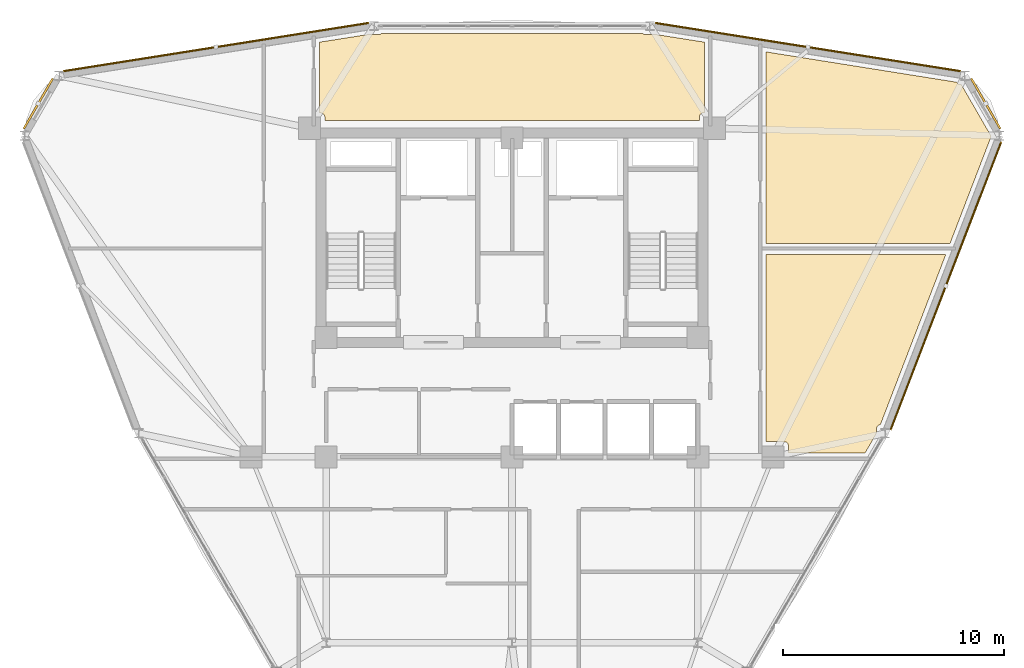
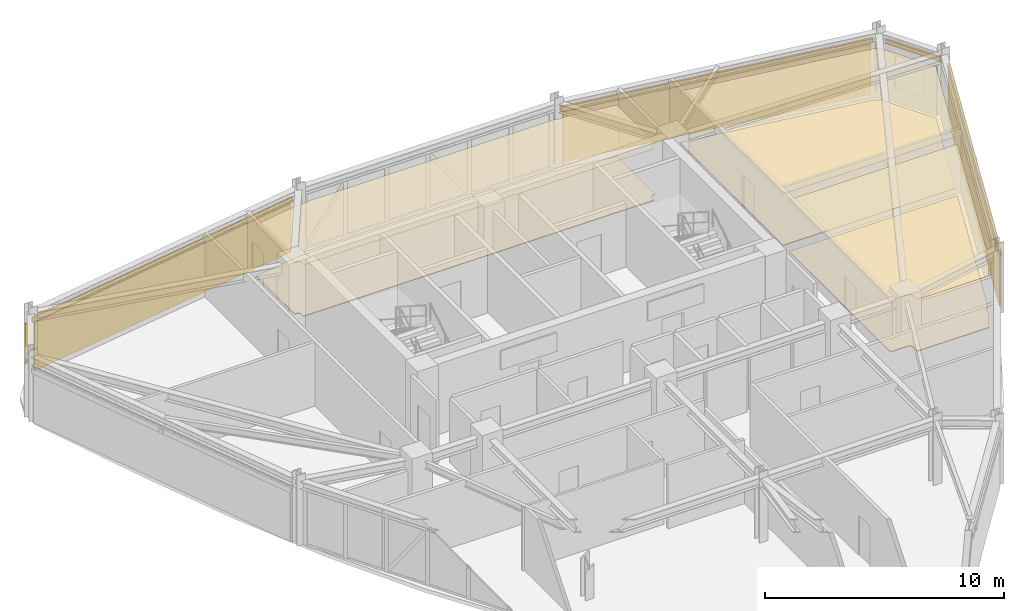
# One storey, part 14 of 14: 9 coverings, 5 shading devices.
"""IFC4 building model written with IfcOpenShell, lengths in metres."""

from ifc_helpers import new_model, si_unit, derived_unit, direction, frame, origin, origin_2d, place, context, subcontext, project, spatial, polyline, hollow_rectangle, outline, extrude, source, transform, mapped, material, layer, layer_set, material_profile, profile_set, type_object, element, save


model = new_model("IFC4")

# Units and contexts
model_context = context("Model", 3, precision=1e-05, world=origin(), true_north=direction((0.0, 1.0)))
body_context = subcontext(model_context, "Body", "Model", "MODEL_VIEW")
ifc_project = project(units=[si_unit("LENGTHUNIT", "METRE"), si_unit("AREAUNIT", "SQUARE_METRE"), si_unit("VOLUMEUNIT", "CUBIC_METRE"), si_unit("PLANEANGLEUNIT", "RADIAN"), si_unit("MASSUNIT", "GRAM", prefix="KILO"), derived_unit("THERMALTRANSMITTANCEUNIT", [(si_unit("POWERUNIT", "WATT"), 1), (si_unit("LENGTHUNIT", "METRE"), -2), (si_unit("THERMODYNAMICTEMPERATUREUNIT", "KELVIN"), -1)])], contexts=[model_context])

# Site, building, storey
site_placement = place(None, origin())
site = spatial("IfcSite", under=ifc_project, at=site_placement, CompositionType="ELEMENT")
building_placement = place(site_placement, origin())
building = spatial("IfcBuilding", under=site, at=building_placement, Name="Korsvarv Bourse and Concert Hall", CompositionType="ELEMENT")
storey_placement = place(building_placement, frame((0.0, 0.0, 197.39990234375)))
storey = spatial("IfcBuildingStorey", under=building, at=storey_placement, Name="L51", CompositionType="ELEMENT", Elevation=197.39990234375)

# Coverings
ifc_material_1 = material(Name="Perforated mineral-wool and birch acoustic baffle ceiling", Category="wood")
ifc_layer_1 = layer(ifc_material_1, 0.02490234375)
ifc_layer_set_1 = layer_set([ifc_layer_1], Name="Perforated mineral-wool and birch acoustic baffle ceiling")
covering_type_1 = type_object("IfcCoveringType", Name="COV-CEIL-1", PredefinedType="CEILING", material=ifc_layer_set_1)
covering_1_placement = place(storey_placement, frame((0.0, 0.0, 2.64013671875)))
element("IfcCovering", 1, at=covering_1_placement, inside=storey, type_object=covering_type_1, Name="L51 acoustic baffle ceiling 1", PredefinedType="CEILING", context=body_context, shape_type="SweptSolid", body=[
    extrude(outline(polyline([(56.0947265625, 49.327880859375), (56.115234375, 49.298095703125), (56.14111328125, 49.273193359375), (56.171630859375, 49.253662109375), (56.205322265625, 49.24072265625), (56.24072265625, 49.23486328125), (56.298828125, 49.231201171875), (57.63720703125, 46.9130859375), (57.63720703125, 46.837646484375), (55.797607421875, 42.050048828125), (47.47998046875, 42.050048828125), (47.47998046875, 50.6982421875), (56.0947265625, 49.327880859375)])), origin(), (0.0, 0.0, 1.0), 0.02490234375),
])
covering_2_placement = place(storey_placement, frame((0.0, 0.0, 2.64013671875)))
element("IfcCovering", 2, at=covering_2_placement, inside=storey, type_object=covering_type_1, Name="L51 acoustic baffle ceiling 2", PredefinedType="CEILING", context=body_context, shape_type="SweptSolid", body=[
    extrude(outline(polyline([(29.509033203125, 51.48681640625), (29.5341796875, 51.48193359375), (29.966796875, 51.473876953125), (30.003173828125, 51.476806640625), (30.0380859375, 51.4873046875), (30.070068359375, 51.50439453125), (30.09814453125, 51.527587890625), (41.89794921875, 51.53173828125), (41.91796875, 51.515625), (41.9482421875, 51.498779296875), (41.981201171875, 51.488037109375), (42.015869140625, 51.48388671875), (42.431884765625, 51.473876953125), (42.466796875, 51.476318359375), (42.499755859375, 51.485595703125), (44.7099609375, 51.135986328125), (44.7099609375, 47.93994140625), (44.64990234375, 47.93994140625), (44.615478515625, 47.936767578125), (44.582275390625, 47.9267578125), (44.5517578125, 47.910888671875), (44.524658203125, 47.88916015625), (44.502197265625, 47.86279296875), (44.4853515625, 47.83251953125), (44.474365234375, 47.799560546875), (44.47021484375, 47.765380859375), (44.465087890625, 47.60009765625), (27.5400390625, 47.60009765625), (27.5400390625, 47.75), (27.53662109375, 47.7841796875), (27.527099609375, 47.817138671875), (27.510986328125, 47.84765625), (27.48974609375, 47.874755859375), (27.463623046875, 47.897216796875), (27.433837890625, 47.914306640625), (27.4013671875, 47.92529296875), (27.3671875, 47.929931640625), (27.2900390625, 47.932861328125), (27.2900390625, 51.135986328125), (29.509033203125, 51.48681640625)])), origin(), (0.0, 0.0, 1.0), 0.02490234375),
])
covering_3_placement = place(storey_placement, frame((0.0, 0.0, 2.64013671875)))
element("IfcCovering", 3, at=covering_3_placement, inside=storey, type_object=covering_type_1, Name="L51 acoustic baffle ceiling 3", PredefinedType="CEILING", context=body_context, shape_type="SweptSolid", body=[
    extrude(outline(polyline([(48.489990234375, 32.570068359375), (48.489990234375, 32.89990234375), (48.486572265625, 32.934814453125), (48.4765625, 32.968505859375), (48.4599609375, 32.99951171875), (48.43798828125, 33.026611328125), (48.410888671875, 33.049072265625), (48.380126953125, 33.06591796875), (48.3466796875, 33.076171875), (48.311767578125, 33.080078125), (47.47998046875, 33.088134765625), (47.47998046875, 41.550048828125), (55.60546875, 41.550048828125), (52.650390625, 33.85986328125), (52.62451171875, 33.85693359375), (52.591552734375, 33.84716796875), (52.56103515625, 33.831298828125), (52.533935546875, 33.809814453125), (52.51171875, 33.78369140625), (52.49462890625, 33.753662109375), (52.483642578125, 33.72119140625), (52.47900390625, 33.68701171875), (52.470703125, 33.464599609375), (51.95361328125, 32.5693359375), (48.489990234375, 32.570068359375)])), origin(), (0.0, 0.0, 1.0), 0.02490234375),
])
ifc_material_2 = material(Name="Warm iron-oxide extruded terracotta rainscreen tile", Category="ceramic")
ifc_layer_2 = layer(ifc_material_2, 0.044921875)
ifc_layer_set_2 = layer_set([ifc_layer_2], Name="Warm iron-oxide extruded terracotta rainscreen tile")
covering_type_2 = type_object("IfcCoveringType", Name="COV-CLD-TC", PredefinedType="CLADDING", material=ifc_layer_set_2)
covering_4_placement = place(storey_placement, origin())
element("IfcCovering", 4, at=covering_4_placement, inside=storey, type_object=covering_type_2, Name="L51 fluted terracotta cladding panel EW-L51-B02", PredefinedType="CLADDING", context=body_context, shape_type="SweptSolid", body=[
    extrude(outline(polyline([(56.19970703125, 49.80126953125), (42.541259765625, 51.959716796875), (42.548095703125, 52.004150390625), (56.20654296875, 49.845703125), (56.19970703125, 49.80126953125)])), origin(), (0.0, 0.0, 1.0), 2.550048828125),
])
covering_5_placement = place(storey_placement, origin())
element("IfcCovering", 5, at=covering_5_placement, inside=storey, type_object=covering_type_2, Name="L51 fluted terracotta cladding panel EW-L51-B04", PredefinedType="CLADDING", context=body_context, shape_type="SweptSolid", body=[
    extrude(outline(polyline([(29.458740234375, 51.959716796875), (15.80029296875, 49.80126953125), (15.79345703125, 49.845703125), (29.451904296875, 52.004150390625), (29.458740234375, 51.959716796875)])), origin(), (0.0, 0.0, 1.0), 2.489990234375),
])
covering_6_placement = place(storey_placement, origin())
element("IfcCovering", 6, at=covering_6_placement, inside=storey, type_object=covering_type_2, Name="L51 fluted terracotta cladding panel EW-L51-B12", PredefinedType="CLADDING", context=body_context, shape_type="SweptSolid", body=[
    extrude(outline(polyline([(53.098388671875, 33.701416015625), (58.045654296875, 46.576416015625), (58.087646484375, 46.560302734375), (53.140380859375, 33.685302734375), (53.098388671875, 33.701416015625)])), origin(), (0.0, 0.0, 1.0), 2.550048828125),
])
ifc_material_3 = material(Name="Calcium-sulphate raised access trading floor with Nordic oak top", Category="wood")
ifc_layer_3 = layer(ifc_material_3, 0.0400390625)
ifc_layer_set_3 = layer_set([ifc_layer_3], Name="Calcium-sulphate raised access trading floor with Nordic oak top")
covering_type_3 = type_object("IfcCoveringType", Name="COV-FLOR-1", PredefinedType="FLOORING", material=ifc_layer_set_3)
covering_7_placement = place(storey_placement, origin())
element("IfcCovering", 7, at=covering_7_placement, inside=storey, type_object=covering_type_3, Name="L51 raised access oak floor finish 1", PredefinedType="FLOORING", context=body_context, shape_type="SweptSolid", body=[
    extrude(outline(polyline([(56.0947265625, 49.327880859375), (56.115234375, 49.298095703125), (56.14111328125, 49.273193359375), (56.171630859375, 49.253662109375), (56.205322265625, 49.24072265625), (56.24072265625, 49.23486328125), (56.298828125, 49.231201171875), (57.63720703125, 46.9130859375), (57.63720703125, 46.837646484375), (55.797607421875, 42.050048828125), (47.47998046875, 42.050048828125), (47.47998046875, 50.6982421875), (56.0947265625, 49.327880859375)])), origin(), (0.0, 0.0, 1.0), 0.0400390625),
])
covering_8_placement = place(storey_placement, origin())
element("IfcCovering", 8, at=covering_8_placement, inside=storey, type_object=covering_type_3, Name="L51 raised access oak floor finish 2", PredefinedType="FLOORING", context=body_context, shape_type="SweptSolid", body=[
    extrude(outline(polyline([(29.509033203125, 51.48681640625), (29.5341796875, 51.48193359375), (29.966796875, 51.473876953125), (30.003173828125, 51.476806640625), (30.0380859375, 51.4873046875), (30.070068359375, 51.50439453125), (30.09814453125, 51.527587890625), (41.89794921875, 51.53173828125), (41.91796875, 51.515625), (41.9482421875, 51.498779296875), (41.981201171875, 51.488037109375), (42.015869140625, 51.48388671875), (42.431884765625, 51.473876953125), (42.466796875, 51.476318359375), (42.499755859375, 51.485595703125), (44.7099609375, 51.135986328125), (44.7099609375, 47.93994140625), (44.64990234375, 47.93994140625), (44.615478515625, 47.936767578125), (44.582275390625, 47.9267578125), (44.5517578125, 47.910888671875), (44.524658203125, 47.88916015625), (44.502197265625, 47.86279296875), (44.4853515625, 47.83251953125), (44.474365234375, 47.799560546875), (44.47021484375, 47.765380859375), (44.465087890625, 47.60009765625), (27.5400390625, 47.60009765625), (27.5400390625, 47.75), (27.53662109375, 47.7841796875), (27.527099609375, 47.817138671875), (27.510986328125, 47.84765625), (27.48974609375, 47.874755859375), (27.463623046875, 47.897216796875), (27.433837890625, 47.914306640625), (27.4013671875, 47.92529296875), (27.3671875, 47.929931640625), (27.2900390625, 47.932861328125), (27.2900390625, 51.135986328125), (29.509033203125, 51.48681640625)])), origin(), (0.0, 0.0, 1.0), 0.0400390625),
])
covering_9_placement = place(storey_placement, origin())
element("IfcCovering", 9, at=covering_9_placement, inside=storey, type_object=covering_type_3, Name="L51 raised access oak floor finish 3", PredefinedType="FLOORING", context=body_context, shape_type="SweptSolid", body=[
    extrude(outline(polyline([(48.489990234375, 32.570068359375), (48.489990234375, 32.89990234375), (48.486572265625, 32.934814453125), (48.4765625, 32.968505859375), (48.4599609375, 32.99951171875), (48.43798828125, 33.026611328125), (48.410888671875, 33.049072265625), (48.380126953125, 33.06591796875), (48.3466796875, 33.076171875), (48.311767578125, 33.080078125), (47.47998046875, 33.088134765625), (47.47998046875, 41.550048828125), (55.60546875, 41.550048828125), (52.650390625, 33.85986328125), (52.62451171875, 33.85693359375), (52.591552734375, 33.84716796875), (52.56103515625, 33.831298828125), (52.533935546875, 33.809814453125), (52.51171875, 33.78369140625), (52.49462890625, 33.753662109375), (52.483642578125, 33.72119140625), (52.47900390625, 33.68701171875), (52.470703125, 33.464599609375), (51.95361328125, 32.5693359375), (48.489990234375, 32.570068359375)])), origin(), (0.0, 0.0, 1.0), 0.0400390625),
])

# Shading devices
ifc_material_4 = material(Name="Glazed extruded architectural terracotta", Category="ceramic")
ifc_material_profile = material_profile(ifc_material_4, hollow_rectangle(XDim=0.090087890625, YDim=0.260009765625, WallThickness=0.011962890625, at=origin_2d()), Name="TC-BAG 90x260")
ifc_profile_set = profile_set([ifc_material_profile], Name="Glazed extruded architectural terracotta")
shading_device_type = type_object("IfcShadingDeviceType", Name="SHD-BAG-1", PredefinedType="USERDEFINED", material=ifc_profile_set)
shared_shape_1 = source(origin(), body_context, "Body", "SweptSolid", [
    extrude(hollow_rectangle(XDim=0.090087890625, YDim=0.260009765625, WallThickness=0.011962890625, at=origin_2d()), origin(), (0.0, 0.0, 1.0), 2.63720703125),
])
for number, where, z_axis, x_axis, name in (
    (10, (58.0673828125, 47.218017578125, 2.710205078125), (-0.499992239852, 0.866029884062, 0.0), (-0.866029884062, -0.499992239852, 0.0), "L51 terracotta baguette sunshade EW-L51-B01"),
    (11, (15.251220703125, 49.501953125, 2.710205078125), (-0.499992239852, -0.866029884062, 0.0), (0.866029884062, -0.499992239852, 0.0), "L51 terracotta baguette sunshade EW-L51-B05"),
):
    element("IfcShadingDevice", number, at=place(storey_placement, frame(where, z_axis=z_axis, x_axis=x_axis)), inside=storey, type_object=shading_device_type, Name=name, ObjectType="BAGUETTE", PredefinedType="USERDEFINED", context=body_context, shape_type="MappedRepresentation", body=[
        mapped(shared_shape_1, transform((0.0, 0.0, 0.0), scale=1.0)),
    ])
shared_shape_2 = source(origin(), body_context, "Body", "SweptSolid", [
    extrude(hollow_rectangle(XDim=0.090087890625, YDim=0.260009765625, WallThickness=0.011962890625, at=origin_2d()), origin(), (0.0, 0.0, 1.0), 13.98779296875),
])
for number, where, z_axis, x_axis, name in (
    (12, (56.284912109375, 49.828369140625, 2.710205078125), (-0.987743003355, 0.15608894683, 0.0), (-0.15608894683, -0.987743003355, 0.0), "L51 terracotta baguette sunshade EW-L51-B02"),
    (13, (29.531494140625, 52.01171875, 2.650146484375), (-0.987743003355, -0.15608894683, 0.0), (0.15608894683, -0.987743003355, 0.0), "L51 terracotta baguette sunshade EW-L51-B04"),
):
    element("IfcShadingDevice", number, at=place(storey_placement, frame(where, z_axis=z_axis, x_axis=x_axis)), inside=storey, type_object=shading_device_type, Name=name, ObjectType="BAGUETTE", PredefinedType="USERDEFINED", context=body_context, shape_type="MappedRepresentation", body=[
        mapped(shared_shape_2, transform((0.0, 0.0, 0.0), scale=1.0)),
    ])
shared_shape_3 = source(origin(), body_context, "Body", "SweptSolid", [
    extrude(hollow_rectangle(XDim=0.090087890625, YDim=0.260009765625, WallThickness=0.011962890625, at=origin_2d()), origin(), (0.0, 0.0, 1.0), 13.952880859375),
])
shading_device_placement = place(storey_placement, frame((53.107177734375, 33.6123046875, 2.710205078125), z_axis=(0.358682414456, 0.933459653954, 0.0), x_axis=(-0.933459653954, 0.358682414456, 0.0)))
element("IfcShadingDevice", 14, at=shading_device_placement, inside=storey, type_object=shading_device_type, Name="L51 terracotta baguette sunshade EW-L51-B12", ObjectType="BAGUETTE", PredefinedType="USERDEFINED", context=body_context, shape_type="MappedRepresentation", body=[
    mapped(shared_shape_3, transform((0.0, 0.0, 0.0), scale=1.0)),
])

save(model, "model.ifc")
